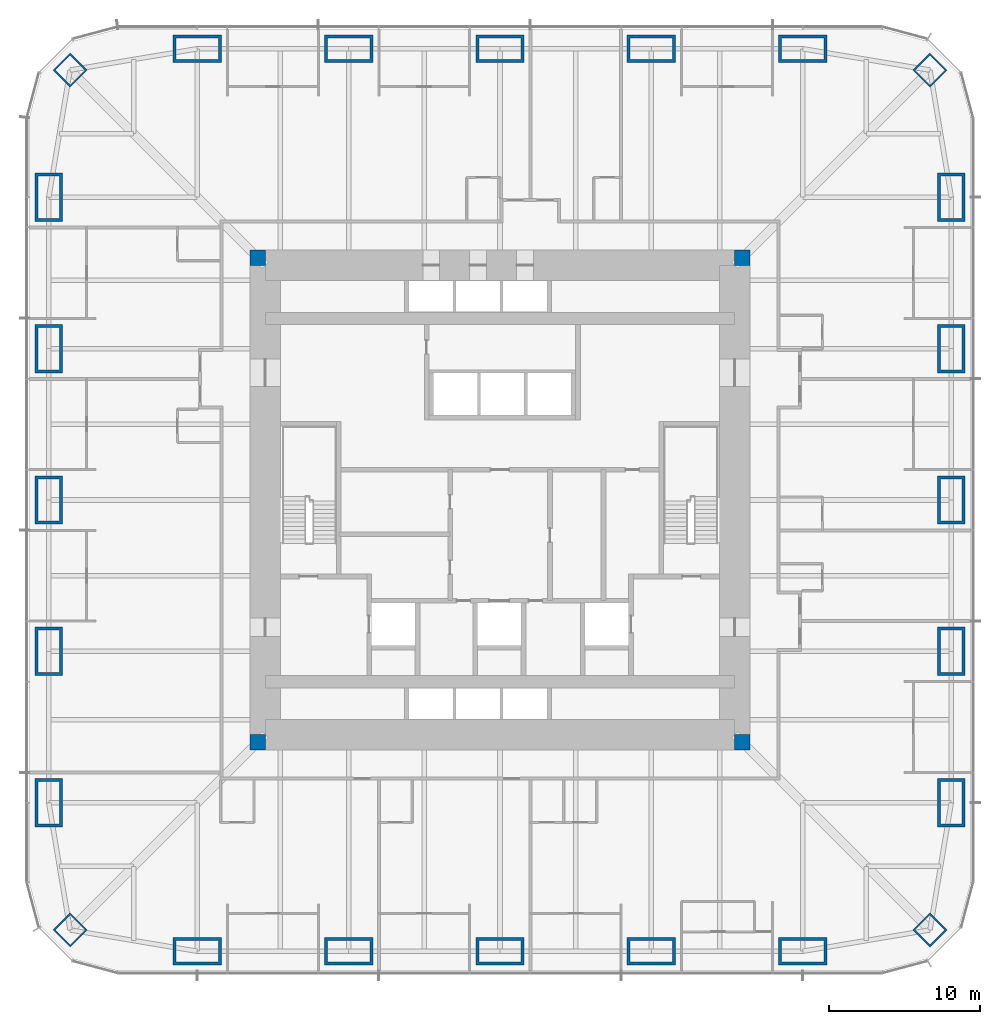
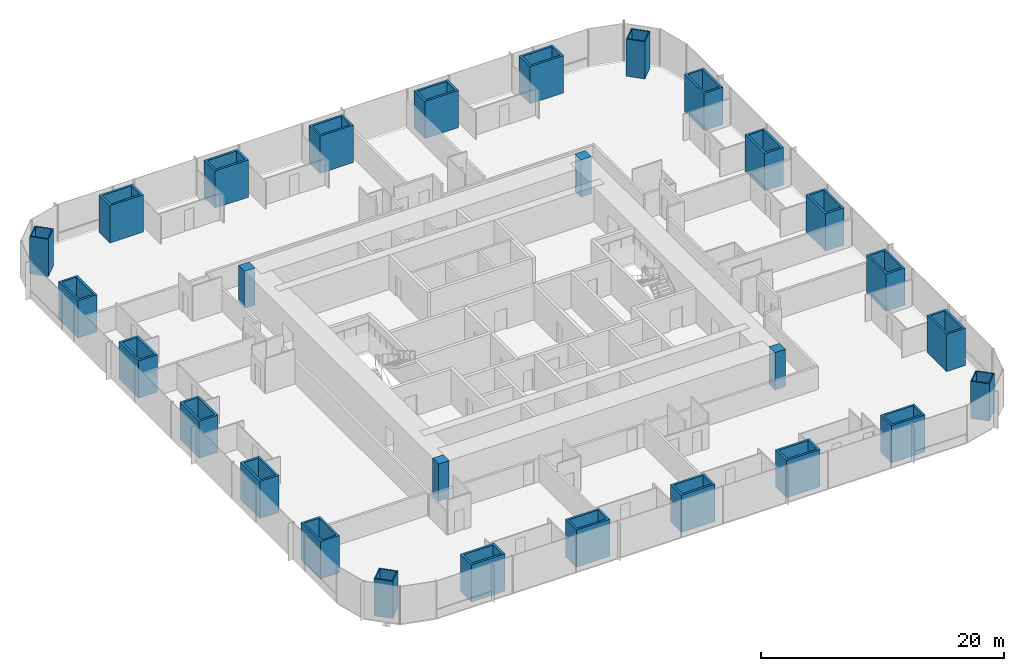
# One storey, part 1 of 16: 28 columns.
"""IFC4 building model written with IfcOpenShell, lengths in metres."""

from ifc_helpers import new_model, si_unit, direction, frame, origin, origin_2d, place, context, subcontext, project, spatial, rectangle, hollow_rectangle, extrude, material, material_profile, profile_set, type_object, element, save


model = new_model("IFC4")

# Units and contexts
model_context = context("Model", 3, precision=1e-05, world=origin(), true_north=direction((0.0, 1.0)))
body_context = subcontext(model_context, "Body", "Model", "MODEL_VIEW")
ifc_project = project(units=[si_unit("LENGTHUNIT", "METRE"), si_unit("AREAUNIT", "SQUARE_METRE"), si_unit("VOLUMEUNIT", "CUBIC_METRE"), si_unit("PLANEANGLEUNIT", "RADIAN"), si_unit("MASSUNIT", "GRAM", prefix="KILO")], contexts=[model_context])

# Site, building, storey
site_placement = place(None, origin())
site = spatial("IfcSite", under=ifc_project, at=site_placement, CompositionType="ELEMENT")
building_placement = place(site_placement, origin())
building = spatial("IfcBuilding", under=site, at=building_placement, Name="Khuree Lantern Residences", CompositionType="ELEMENT")
storey_placement = place(building_placement, frame((0.0, 0.0, 81.0)))
storey = spatial("IfcBuildingStorey", under=building, at=storey_placement, Name="L20", CompositionType="ELEMENT", Elevation=81.0)

# Columns
ifc_material_1 = material(Name="Steel S355 CFT welded box", Category="steel")
ifc_material_profile_1 = material_profile(ifc_material_1, hollow_rectangle(XDim=1.60009765625, YDim=1.60009765625, WallThickness=0.10009765625, at=origin_2d()), Name="WELDED BOX 1600X1600X100")
ifc_profile_set_1 = profile_set([ifc_material_profile_1], Name="Steel S355 CFT welded box")
column_type_1 = type_object("IfcColumnType", Name="CC1600 PERIMETER CORNER MEGA COLUMN WELDED BOX 1600X1600X100", PredefinedType="COLUMN", material=ifc_profile_set_1)
for number, where, z_axis, x_axis, name in (
    (1, (28.39404296875, 28.39404296875, 0.0), (0.0, 0.0, 1.0), (0.707106781187, -0.707106781187, 0.0), "Perimeter column NE"),
    (2, (28.39404296875, -28.39404296875, 0.0), (0.0, 0.0, 1.0), (0.707106781187, 0.707106781187, 0.0), "Perimeter column SE"),
    (3, (-28.39404296875, -28.39404296875, 0.0), (0.0, 0.0, 1.0), (0.707106781187, -0.707106781187, 0.0), "Perimeter column SW"),
    (4, (-28.39404296875, 28.39404296875, 0.0), (0.0, 0.0, 1.0), (0.707106781187, 0.707106781187, 0.0), "Perimeter column NW"),
):
    element("IfcColumn", number, at=place(storey_placement, frame(where, z_axis=z_axis, x_axis=x_axis)), inside=storey, type_object=column_type_1, Name=name, PredefinedType="COLUMN", context=body_context, shape_type="SweptSolid", body=[
        extrude(hollow_rectangle(XDim=1.60009765625, YDim=1.60009765625, WallThickness=0.10009765625, at=origin_2d()), origin(), (0.0, 0.0, 1.0), 3.75),
    ])
ifc_material_2 = material(Name="Concrete C70/85", Category="concrete")
ifc_material_profile_2 = material_profile(ifc_material_2, rectangle(XDim=1.0, YDim=1.0, at=origin_2d()), Name="RC 1000X1000")
ifc_profile_set_2 = profile_set([ifc_material_profile_2], Name="Concrete C70/85")
column_type_2 = type_object("IfcColumnType", Name="CP1000-C70 CORE CORNER PIER C70 RC 1000X1000", PredefinedType="COLUMN", material=ifc_profile_set_2)
for number, where, z_axis, x_axis, name in (
    (5, (16.0, 16.0, -0.25), (0.0, 0.0, 1.0), (1.0, 0.0, 0.0), "Core corner pier NE"),
    (6, (-16.0, 16.0, -0.25), (0.0, 0.0, 1.0), (1.0, 0.0, 0.0), "Core corner pier NW"),
    (7, (-16.0, -16.0, -0.25), (0.0, 0.0, 1.0), (1.0, 0.0, 0.0), "Core corner pier SW"),
    (8, (16.0, -16.0, -0.25), (0.0, 0.0, 1.0), (1.0, 0.0, 0.0), "Core corner pier SE"),
):
    element("IfcColumn", number, at=place(storey_placement, frame(where, z_axis=z_axis, x_axis=x_axis)), inside=storey, type_object=column_type_2, Name=name, PredefinedType="COLUMN", context=body_context, shape_type="SweptSolid", body=[
        extrude(rectangle(XDim=1.0, YDim=1.0, at=origin_2d()), origin(), (0.0, 0.0, 1.0), 3.75),
    ])
ifc_material_profile_3 = material_profile(ifc_material_1, hollow_rectangle(XDim=3.199951171875, YDim=1.800048828125, WallThickness=0.199951171875, at=origin_2d()), Name="WELDED BOX 3200X1800X200")
ifc_profile_set_3 = profile_set([ifc_material_profile_3], Name="Steel S355 CFT welded box")
column_type_3 = type_object("IfcColumnType", Name="SC1 PERIMETER MEGA COLUMN WELDED BOX 3200X1800X200", PredefinedType="COLUMN", material=ifc_profile_set_3)
for number, where, z_axis, x_axis, name in (
    (9, (-20.0, 29.800048828125, 0.0), (0.0, 0.0, 1.0), (1.0, 0.0, 0.0), "Perimeter column N1"),
    (10, (-10.0, 29.800048828125, 0.0), (0.0, 0.0, 1.0), (1.0, 0.0, 0.0), "Perimeter column N2"),
    (11, (0.0, 29.800048828125, 0.0), (0.0, 0.0, 1.0), (1.0, 0.0, 0.0), "Perimeter column N3"),
    (12, (10.0, 29.800048828125, 0.0), (0.0, 0.0, 1.0), (1.0, 0.0, 0.0), "Perimeter column N4"),
    (13, (20.0, 29.800048828125, 0.0), (0.0, 0.0, 1.0), (1.0, 0.0, 0.0), "Perimeter column N5"),
    (14, (29.800048828125, 20.0, 0.0), (0.0, 0.0, 1.0), (0.0, 1.0, 0.0), "Perimeter column E1"),
    (15, (29.800048828125, 10.0, 0.0), (0.0, 0.0, 1.0), (0.0, 1.0, 0.0), "Perimeter column E2"),
    (16, (29.800048828125, 0.0, 0.0), (0.0, 0.0, 1.0), (0.0, 1.0, 0.0), "Perimeter column E3"),
    (17, (29.800048828125, -10.0, 0.0), (0.0, 0.0, 1.0), (0.0, 1.0, 0.0), "Perimeter column E4"),
    (18, (29.800048828125, -20.0, 0.0), (0.0, 0.0, 1.0), (0.0, 1.0, 0.0), "Perimeter column E5"),
    (19, (20.0, -29.800048828125, 0.0), (0.0, 0.0, 1.0), (1.0, 0.0, 0.0), "Perimeter column S1"),
    (20, (10.0, -29.800048828125, 0.0), (0.0, 0.0, 1.0), (1.0, 0.0, 0.0), "Perimeter column S2"),
    (21, (0.0, -29.800048828125, 0.0), (0.0, 0.0, 1.0), (1.0, 0.0, 0.0), "Perimeter column S3"),
    (22, (-10.0, -29.800048828125, 0.0), (0.0, 0.0, 1.0), (1.0, 0.0, 0.0), "Perimeter column S4"),
    (23, (-20.0, -29.800048828125, 0.0), (0.0, 0.0, 1.0), (1.0, 0.0, 0.0), "Perimeter column S5"),
    (24, (-29.800048828125, -20.0, 0.0), (0.0, 0.0, 1.0), (0.0, 1.0, 0.0), "Perimeter column W1"),
    (25, (-29.800048828125, -10.0, 0.0), (0.0, 0.0, 1.0), (0.0, 1.0, 0.0), "Perimeter column W2"),
    (26, (-29.800048828125, 0.0, 0.0), (0.0, 0.0, 1.0), (0.0, 1.0, 0.0), "Perimeter column W3"),
    (27, (-29.800048828125, 10.0, 0.0), (0.0, 0.0, 1.0), (0.0, 1.0, 0.0), "Perimeter column W4"),
    (28, (-29.800048828125, 20.0, 0.0), (0.0, 0.0, 1.0), (0.0, 1.0, 0.0), "Perimeter column W5"),
):
    element("IfcColumn", number, at=place(storey_placement, frame(where, z_axis=z_axis, x_axis=x_axis)), inside=storey, type_object=column_type_3, Name=name, PredefinedType="COLUMN", context=body_context, shape_type="SweptSolid", body=[
        extrude(hollow_rectangle(XDim=3.199951171875, YDim=1.800048828125, WallThickness=0.199951171875, at=origin_2d()), origin(), (0.0, 0.0, 1.0), 3.75),
    ])

save(model, "model.ifc")
